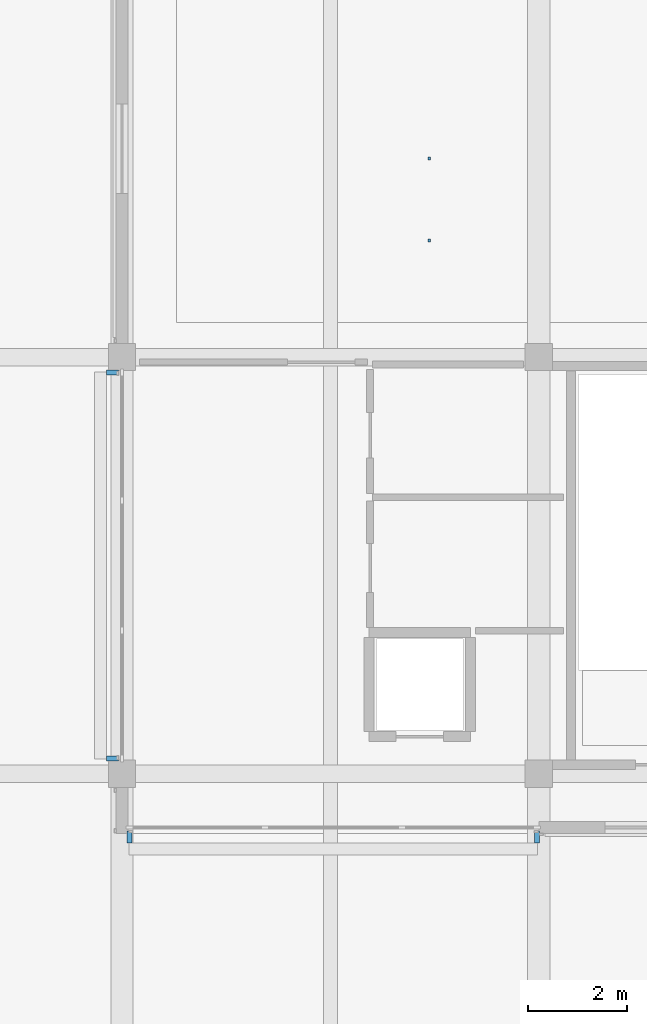
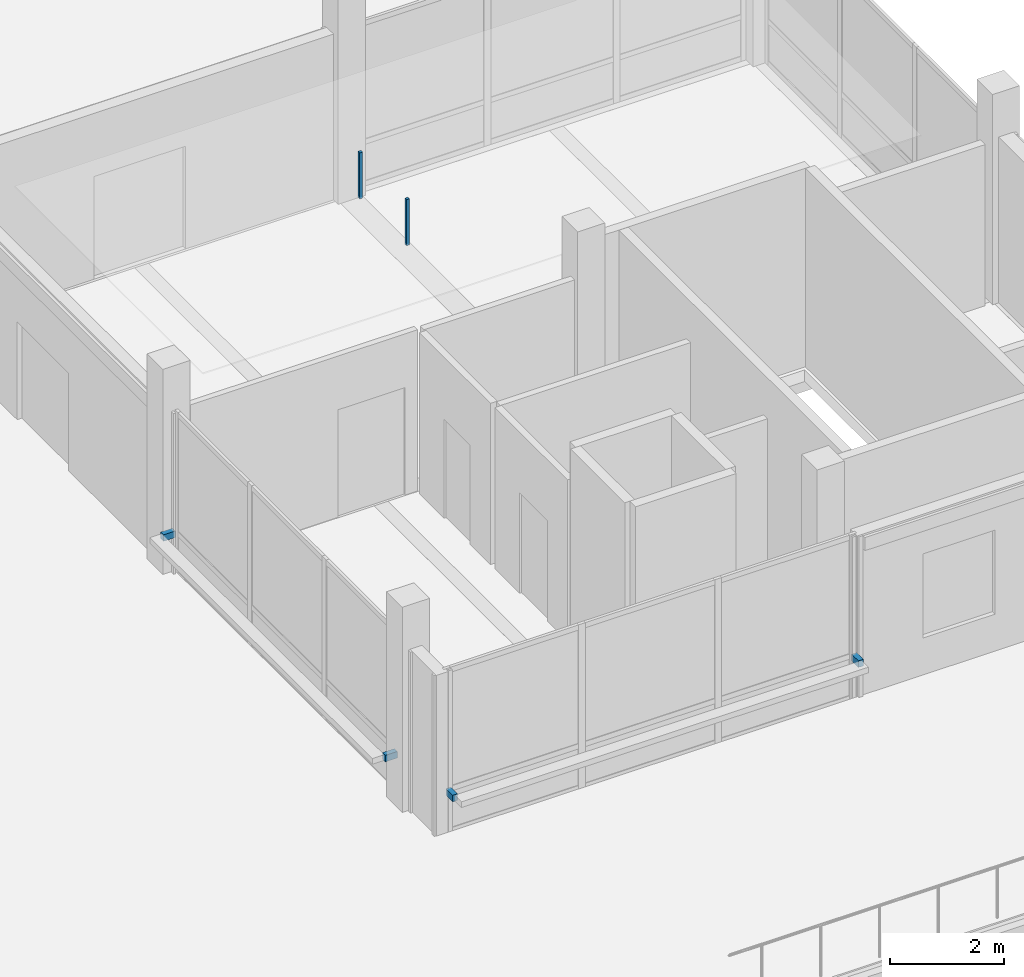
# One storey, part 25 of 59: 6 discrete accessories.
"""IFC4 building model written with IfcOpenShell, lengths in metres."""

from ifc_helpers import new_model, si_unit, direction, frame, origin, origin_2d, place, context, subcontext, project, spatial, rectangle, extrude, material, type_object, element, save


model = new_model("IFC4")

# Units and contexts
model_context = context("Model", 3, precision=1e-05, world=origin(), true_north=direction((0.0, 1.0)))
body_context = subcontext(model_context, "Body", "Model", "MODEL_VIEW")
ifc_project = project(units=[si_unit("LENGTHUNIT", "METRE"), si_unit("AREAUNIT", "SQUARE_METRE"), si_unit("VOLUMEUNIT", "CUBIC_METRE"), si_unit("PLANEANGLEUNIT", "RADIAN"), si_unit("MASSUNIT", "GRAM", prefix="KILO")], contexts=[model_context])

# Site, building, storey
site_placement = place(None, origin())
site = spatial("IfcSite", under=ifc_project, at=site_placement, CompositionType="ELEMENT")
building_placement = place(site_placement, origin())
building = spatial("IfcBuilding", under=site, at=building_placement, Name="Telukmera Botanical Conservatory", CompositionType="ELEMENT")
storey_placement = place(building_placement, frame((0.0, 0.0, 15.0)))
storey = spatial("IfcBuildingStorey", under=building, at=storey_placement, Name="L03", CompositionType="ELEMENT", Elevation=15.0)

# Discrete accessories
ifc_material = material(Name="Steel S355", Category="steel")
discrete_accessory_type_1 = type_object("IfcDiscreteAccessoryType", Name="ACC-CEIL-HGR", PredefinedType="BRACKET", material=ifc_material)
for number, where, z_axis, x_axis, name in (
    (1, (31.392578125, 36.75, 3.31982421875), (0.0, 0.0, 1.0), (1.0, 0.0, 0.0), "L03 Suspended Ceiling Hanger Rod 009-1"),
    (2, (31.392578125, 38.39990234375, 3.31982421875), (0.0, 0.0, 1.0), (1.0, 0.0, 0.0), "L03 Suspended Ceiling Hanger Rod 009-2"),
):
    element("IfcDiscreteAccessory", number, at=place(storey_placement, frame(where, z_axis=z_axis, x_axis=x_axis)), inside=storey, type_object=discrete_accessory_type_1, Name=name, PredefinedType="BRACKET", context=body_context, shape_type="SweptSolid", body=[
        extrude(rectangle(XDim=0.06005859375, YDim=0.06005859375, at=origin_2d()), origin(), (0.0, 0.0, 1.0), 0.985107421875),
    ])
discrete_accessory_type_2 = type_object("IfcDiscreteAccessoryType", Name="Structural Steel Facade Outrigger Fin Bracket", PredefinedType="BRACKET", material=ifc_material)
for number, where, z_axis, x_axis, name in (
    (3, (25.35205078125, 24.72998046875, 0.8798828125), (0.0, 0.0, 1.0), (1.0, 0.0, 0.0), "Facade Outrigger Bracket V3:L03:S1 A"),
    (4, (33.568115234375, 24.72998046875, 0.8798828125), (0.0, 0.0, 1.0), (1.0, 0.0, 0.0), "Facade Outrigger Bracket V3:L03:S1 B"),
    (5, (25.010009765625, 26.306884765625, 0.8798828125), (0.0, 0.0, 1.0), (0.0, 1.0, 0.0), "Facade Outrigger Bracket V3:L03:W1 A"),
    (6, (25.010009765625, 34.093017578125, 0.8798828125), (0.0, 0.0, 1.0), (0.0, 1.0, 0.0), "Facade Outrigger Bracket V3:L03:W1 B"),
):
    element("IfcDiscreteAccessory", number, at=place(storey_placement, frame(where, z_axis=z_axis, x_axis=x_axis)), inside=storey, type_object=discrete_accessory_type_2, Name=name, PredefinedType="BRACKET", context=body_context, shape_type="SweptSolid", body=[
        extrude(rectangle(XDim=0.10009765625, YDim=0.239990234375, at=origin_2d()), origin(), (0.0, 0.0, 1.0), 0.139892578125),
    ])

save(model, "model.ifc")
